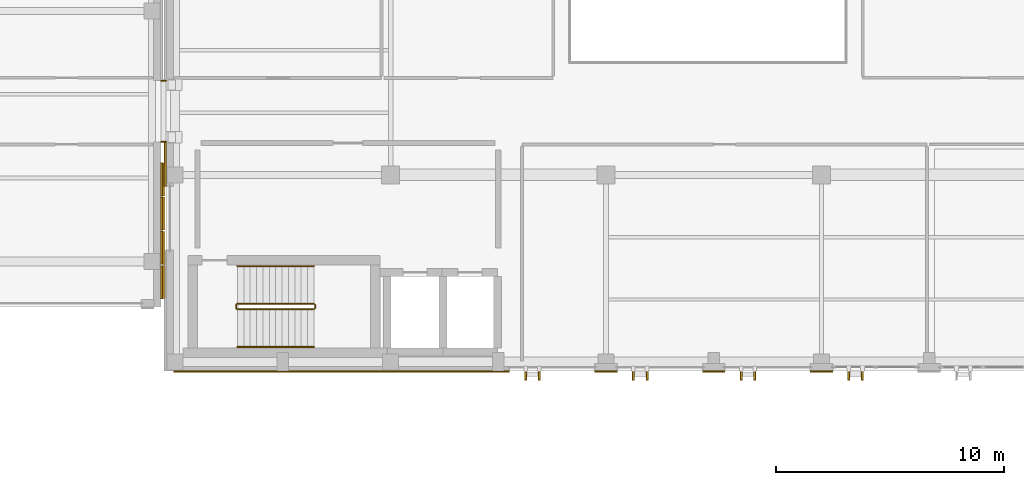
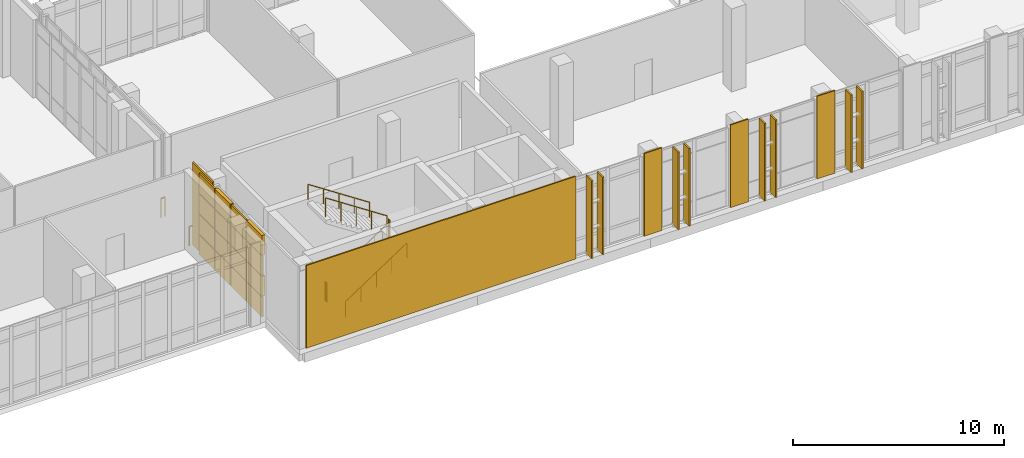
# One storey, part 170 of 189: 21 coverings, 8 railings, 8 shading devices.
"""IFC4 building model written with IfcOpenShell, lengths in metres."""

from ifc_helpers import new_model, si_unit, direction, frame, origin, origin_2d, place, context, subcontext, project, spatial, rectangle, circle, extrude, material, layer, layer_set, type_object, element, save


model = new_model("IFC4")

# Units and contexts
model_context = context("Model", 3, precision=1e-05, world=origin(), true_north=direction((0.0, 1.0)))
body_context = subcontext(model_context, "Body", "Model", "MODEL_VIEW")
ifc_project = project(units=[si_unit("LENGTHUNIT", "METRE"), si_unit("AREAUNIT", "SQUARE_METRE"), si_unit("VOLUMEUNIT", "CUBIC_METRE"), si_unit("PLANEANGLEUNIT", "RADIAN"), si_unit("MASSUNIT", "GRAM", prefix="KILO")], contexts=[model_context])

# Site, building, storey
site_placement = place(None, origin())
site = spatial("IfcSite", under=ifc_project, at=site_placement, CompositionType="ELEMENT")
building_placement = place(site_placement, origin())
building = spatial("IfcBuilding", under=site, at=building_placement, Name="Qalavern Law Courts", CompositionType="ELEMENT")
storey_placement = place(building_placement, frame((0.0, 0.0, 5.39990234375)))
storey = spatial("IfcBuildingStorey", under=building, at=storey_placement, Name="L01", CompositionType="ELEMENT", Elevation=5.39990234375)

# Railings
ifc_material_1 = material(Name="Steel S355", Category="steel")
railing_type_1 = type_object("IfcRailingType", Name="ENV-BAL-1120", PredefinedType="BALUSTRADE", material=ifc_material_1)
for number, where, name in (
    (1, (34.0, 15.260009765625, 0.0), "Bridge BR-V1-V2 joint guard L01-1"),
    (2, (34.0, 17.93994140625, 0.0), "Bridge BR-V1-V2 joint guard L01-2"),
):
    element("IfcRailing", number, at=place(storey_placement, frame(where)), inside=storey, type_object=railing_type_1, Name=name, PredefinedType="BALUSTRADE", context=body_context, shape_type="SweptSolid", body=[
        extrude(circle(Radius=0.02392578125, at=origin_2d()), frame((0.0, 0.0, 1.09619140625), z_axis=(1.0, 0.0, 0.0), x_axis=(0.0, 1.0, 0.0)), (0.0, 0.0, 1.0), 0.219970703125),
        extrude(circle(Radius=0.02099609375, at=origin_2d()), origin(), (0.0, 0.0, 1.0), 1.072021484375),
        extrude(circle(Radius=0.02099609375, at=origin_2d()), frame((0.219970703125, 0.0, 0.0)), (0.0, 0.0, 1.0), 1.072021484375),
    ])

# Coverings
ifc_material_2 = material(Name="Precast concrete C40/50", Category="concrete")
ifc_layer_1 = layer(ifc_material_2, 0.06005859375)
ifc_layer_set_1 = layer_set([ifc_layer_1], Name="Precast concrete C40/50")
covering_type_1 = type_object("IfcCoveringType", Name="ENV-CLD-1", PredefinedType="CLADDING", material=ifc_layer_set_1)
covering_1_placement = place(storey_placement, frame((34.0380859375, 9.10009765625, 0.050048828125), z_axis=(0.0, 0.0, 1.0), x_axis=(0.0, 1.0, 0.0)))
element("IfcCovering", 3, at=covering_1_placement, inside=storey, type_object=covering_type_1, Name="Cast drop-relief street-base tile 0137", PredefinedType="CLADDING", context=body_context, shape_type="SweptSolid", body=[
    extrude(rectangle(XDim=1.449951171875, YDim=0.083984375, at=origin_2d()), origin(), (0.0, 0.0, 1.0), 1.14501953125),
])
for number, where, z_axis, x_axis, name in (
    (4, (34.080078125, 9.10009765625, 3.60498046875), (0.0, 0.0, 1.0), (0.0, 1.0, 0.0), "Cast drop-relief street-base tile 0140"),
    (5, (34.080078125, 10.60009765625, 2.420166015625), (0.0, 0.0, 1.0), (0.0, 1.0, 0.0), "Cast drop-relief street-base tile 0143"),
    (6, (34.080078125, 12.10009765625, 1.235107421875), (0.0, 0.0, 1.0), (0.0, 1.0, 0.0), "Cast drop-relief street-base tile 0146"),
    (7, (34.080078125, 13.60009765625, 0.050048828125), (0.0, 0.0, 1.0), (0.0, 1.0, 0.0), "Cast drop-relief street-base tile 0149"),
):
    element("IfcCovering", number, at=place(storey_placement, frame(where, z_axis=z_axis, x_axis=x_axis)), inside=storey, type_object=covering_type_1, Name=name, PredefinedType="CLADDING", context=body_context, shape_type="SweptSolid", body=[
        extrude(rectangle(XDim=1.449951171875, YDim=0.16796875, at=origin_2d()), origin(), (0.0, 0.0, 1.0), 1.14501953125),
    ])
covering_2_placement = place(storey_placement, frame((34.0380859375, 13.60009765625, 3.60498046875), z_axis=(0.0, 0.0, 1.0), x_axis=(0.0, 1.0, 0.0)))
element("IfcCovering", 8, at=covering_2_placement, inside=storey, type_object=covering_type_1, Name="Cast drop-relief street-base tile 0152", PredefinedType="CLADDING", context=body_context, shape_type="SweptSolid", body=[
    extrude(rectangle(XDim=1.449951171875, YDim=0.083984375, at=origin_2d()), origin(), (0.0, 0.0, 1.0), 1.14501953125),
])
ifc_layer_2 = layer(ifc_material_2, 0.072021484375)
ifc_layer_set_2 = layer_set([ifc_layer_2], Name="Precast concrete C40/50")
covering_type_2 = type_object("IfcCoveringType", Name="ENV-CLD-2", PredefinedType="CLADDING", material=ifc_layer_set_2)
for number, where, z_axis, x_axis, name in (
    (9, (34.080078125, 9.10009765625, 1.235107421875), (0.0, 0.0, 1.0), (0.0, 1.0, 0.0), "Cast drop-relief street-base tile 0138"),
    (10, (34.080078125, 10.60009765625, 0.050048828125), (0.0, 0.0, 1.0), (0.0, 1.0, 0.0), "Cast drop-relief street-base tile 0141"),
):
    element("IfcCovering", number, at=place(storey_placement, frame(where, z_axis=z_axis, x_axis=x_axis)), inside=storey, type_object=covering_type_2, Name=name, PredefinedType="CLADDING", context=body_context, shape_type="SweptSolid", body=[
        extrude(rectangle(XDim=1.449951171875, YDim=0.16796875, at=origin_2d()), origin(), (0.0, 0.0, 1.0), 1.14501953125),
    ])
for number, where, z_axis, x_axis, name in (
    (11, (34.0380859375, 10.60009765625, 3.60498046875), (0.0, 0.0, 1.0), (0.0, 1.0, 0.0), "Cast drop-relief street-base tile 0144"),
    (12, (34.0380859375, 12.10009765625, 2.420166015625), (0.0, 0.0, 1.0), (0.0, 1.0, 0.0), "Cast drop-relief street-base tile 0147"),
    (13, (34.0380859375, 13.60009765625, 1.235107421875), (0.0, 0.0, 1.0), (0.0, 1.0, 0.0), "Cast drop-relief street-base tile 0150"),
):
    element("IfcCovering", number, at=place(storey_placement, frame(where, z_axis=z_axis, x_axis=x_axis)), inside=storey, type_object=covering_type_2, Name=name, PredefinedType="CLADDING", context=body_context, shape_type="SweptSolid", body=[
        extrude(rectangle(XDim=1.449951171875, YDim=0.083984375, at=origin_2d()), origin(), (0.0, 0.0, 1.0), 1.14501953125),
    ])
covering_3_placement = place(storey_placement, frame((41.92041015625, 5.1669921875, 0.01025390625), z_axis=(0.0, 0.0, 1.0), x_axis=(1.0, 0.0, 0.0)))
element("IfcCovering", 14, at=covering_3_placement, inside=storey, type_object=covering_type_2, Name="V2 Absheron limestone pier facing L01 south 1", PredefinedType="CLADDING", context=body_context, shape_type="SweptSolid", body=[
    extrude(rectangle(XDim=14.740966796875, YDim=0.072021484375, at=origin_2d()), origin(), (0.0, 0.0, 1.0), 4.780029296875),
])
for number, where, z_axis, x_axis, name in (
    (15, (53.528564453125, 5.1669921875, 0.01025390625), (0.0, 0.0, 1.0), (1.0, 0.0, 0.0), "V2 Absheron limestone pier facing L01 south 2"),
    (16, (58.256103515625, 5.1669921875, 0.01025390625), (0.0, 0.0, 1.0), (1.0, 0.0, 0.0), "V2 Absheron limestone pier facing L01 south 3"),
    (17, (62.98291015625, 5.1669921875, 0.01025390625), (0.0, 0.0, 1.0), (1.0, 0.0, 0.0), "V2 Absheron limestone pier facing L01 south 4"),
):
    element("IfcCovering", number, at=place(storey_placement, frame(where, z_axis=z_axis, x_axis=x_axis)), inside=storey, type_object=covering_type_2, Name=name, PredefinedType="CLADDING", context=body_context, shape_type="SweptSolid", body=[
        extrude(rectangle(XDim=0.97998046875, YDim=0.072021484375, at=origin_2d()), origin(), (0.0, 0.0, 1.0), 4.780029296875),
    ])
covering_4_placement = place(storey_placement, frame((34.18701171875, 14.27490234375, 0.01025390625), z_axis=(0.0, 0.0, 1.0), x_axis=(0.0, -1.0, 0.0)))
element("IfcCovering", 18, at=covering_4_placement, inside=storey, type_object=covering_type_2, Name="V2 Absheron limestone pier facing L01 west 1", PredefinedType="CLADDING", context=body_context, shape_type="SweptSolid", body=[
    extrude(rectangle(XDim=1.929931640625, YDim=0.072021484375, at=origin_2d()), origin(), (0.0, 0.0, 1.0), 4.780029296875),
])
ifc_layer_3 = layer(ifc_material_2, 0.083984375)
ifc_layer_set_3 = layer_set([ifc_layer_3], Name="Precast concrete C40/50")
covering_type_3 = type_object("IfcCoveringType", Name="ENV-CLD-3", PredefinedType="CLADDING", material=ifc_layer_set_3)
for number, where, z_axis, x_axis, name in (
    (19, (34.0380859375, 9.10009765625, 2.420166015625), (0.0, 0.0, 1.0), (0.0, 1.0, 0.0), "Cast drop-relief street-base tile 0139"),
    (20, (34.0380859375, 10.60009765625, 1.235107421875), (0.0, 0.0, 1.0), (0.0, 1.0, 0.0), "Cast drop-relief street-base tile 0142"),
    (21, (34.0380859375, 12.10009765625, 0.050048828125), (0.0, 0.0, 1.0), (0.0, 1.0, 0.0), "Cast drop-relief street-base tile 0145"),
):
    element("IfcCovering", number, at=place(storey_placement, frame(where, z_axis=z_axis, x_axis=x_axis)), inside=storey, type_object=covering_type_3, Name=name, PredefinedType="CLADDING", context=body_context, shape_type="SweptSolid", body=[
        extrude(rectangle(XDim=1.449951171875, YDim=0.083984375, at=origin_2d()), origin(), (0.0, 0.0, 1.0), 1.14501953125),
    ])
for number, where, z_axis, x_axis, name in (
    (22, (34.080078125, 12.10009765625, 3.60498046875), (0.0, 0.0, 1.0), (0.0, 1.0, 0.0), "Cast drop-relief street-base tile 0148"),
    (23, (34.080078125, 13.60009765625, 2.420166015625), (0.0, 0.0, 1.0), (0.0, 1.0, 0.0), "Cast drop-relief street-base tile 0151"),
):
    element("IfcCovering", number, at=place(storey_placement, frame(where, z_axis=z_axis, x_axis=x_axis)), inside=storey, type_object=covering_type_3, Name=name, PredefinedType="CLADDING", context=body_context, shape_type="SweptSolid", body=[
        extrude(rectangle(XDim=1.449951171875, YDim=0.16796875, at=origin_2d()), origin(), (0.0, 0.0, 1.0), 1.14501953125),
    ])

# Shading devices
shading_device_type = type_object("IfcShadingDeviceType", Name="ENV-FIN-1", PredefinedType="USERDEFINED", material=ifc_material_2)
for number, where, z_axis, x_axis, name in (
    (24, (50.0009765625, 5.052490234375, 0.01025390625), (0.0, 0.0, 1.0), (0.0, -1.0, 0.0), "Hall solar shading fin 0001"),
    (25, (50.60107421875, 5.052490234375, 0.01025390625), (0.0, 0.0, 1.0), (0.0, -1.0, 0.0), "Hall solar shading fin 0002"),
    (26, (54.728515625, 5.052490234375, 0.01025390625), (0.0, 0.0, 1.0), (0.0, -1.0, 0.0), "Hall solar shading fin 0003"),
    (27, (55.32861328125, 5.052490234375, 0.01025390625), (0.0, 0.0, 1.0), (0.0, -1.0, 0.0), "Hall solar shading fin 0004"),
    (28, (59.4560546875, 5.052490234375, 0.01025390625), (0.0, 0.0, 1.0), (0.0, -1.0, 0.0), "Hall solar shading fin 0005"),
    (29, (60.055908203125, 5.052490234375, 0.01025390625), (0.0, 0.0, 1.0), (0.0, -1.0, 0.0), "Hall solar shading fin 0006"),
    (30, (64.182861328125, 5.052490234375, 0.01025390625), (0.0, 0.0, 1.0), (0.0, -1.0, 0.0), "Hall solar shading fin 0007"),
    (31, (64.782958984375, 5.052490234375, 0.01025390625), (0.0, 0.0, 1.0), (0.0, -1.0, 0.0), "Hall solar shading fin 0008"),
):
    element("IfcShadingDevice", number, at=place(storey_placement, frame(where, z_axis=z_axis, x_axis=x_axis)), inside=storey, type_object=shading_device_type, Name=name, ObjectType="FIN", PredefinedType="USERDEFINED", context=body_context, shape_type="SweptSolid", body=[
        extrude(rectangle(XDim=0.5400390625, YDim=0.0849609375, at=origin_2d()), origin(), (0.0, 0.0, 1.0), 4.489990234375),
    ])

# Railings
railing_type_2 = type_object("IfcRailingType", Name="INT-GUARD-1120", PredefinedType="BALUSTRADE", material=ifc_material_1)
railing_1_placement = place(storey_placement, frame((37.35009765625, 7.89990234375, 0.184814453125)))
element("IfcRailing", 32, at=railing_1_placement, inside=storey, type_object=railing_type_2, Name="L01 ST-K4 stair guard 1", PredefinedType="BALUSTRADE", context=body_context, shape_type="SweptSolid", body=[
    extrude(circle(Radius=0.02392578125, at=origin_2d()), frame((0.0, 0.0, 1.09619140625), z_axis=(0.834858096282, 0.0, 0.550465220583), x_axis=(0.0, 1.0, 0.0)), (0.0, 0.0, 1.0), 4.0244140625),
    extrude(circle(Radius=0.02099609375, at=origin_2d()), origin(), (0.0, 0.0, 1.0), 1.072021484375),
    extrude(circle(Radius=0.02099609375, at=origin_2d()), frame((0.83984375, 0.0, 0.5537109375)), (0.0, 0.0, 1.0), 1.072021484375),
    extrude(circle(Radius=0.02099609375, at=origin_2d()), frame((1.679931640625, 0.0, 1.107666015625)), (0.0, 0.0, 1.0), 1.072021484375),
    extrude(circle(Radius=0.02099609375, at=origin_2d()), frame((2.52001953125, 0.0, 1.66162109375)), (0.0, 0.0, 1.0), 1.072021484375),
    extrude(circle(Radius=0.02099609375, at=origin_2d()), frame((3.35986328125, 0.0, 2.21533203125)), (0.0, 0.0, 1.0), 1.072021484375),
])
railing_2_placement = place(storey_placement, frame((40.760009765625, 7.949951171875, 2.400146484375)))
element("IfcRailing", 33, at=railing_2_placement, inside=storey, type_object=railing_type_2, Name="L01 ST-K4 stair guard 2", PredefinedType="BALUSTRADE", context=body_context, shape_type="SweptSolid", body=[
    extrude(circle(Radius=0.02392578125, at=origin_2d()), frame((0.0, 0.0, 1.09619140625), z_axis=(0.0, 1.0, 0.0), x_axis=(-1.0, 0.0, 0.0)), (0.0, 0.0, 1.0), 0.150146484375),
    extrude(circle(Radius=0.02099609375, at=origin_2d()), origin(), (0.0, 0.0, 1.0), 1.072021484375),
    extrude(circle(Radius=0.02099609375, at=origin_2d()), frame((0.0, 0.150146484375, 0.0)), (0.0, 0.0, 1.0), 1.072021484375),
])
railing_3_placement = place(storey_placement, frame((40.7099609375, 8.14990234375, 2.584716796875)))
element("IfcRailing", 34, at=railing_3_placement, inside=storey, type_object=railing_type_2, Name="L01 ST-K4 stair guard 3", PredefinedType="BALUSTRADE", context=body_context, shape_type="SweptSolid", body=[
    extrude(circle(Radius=0.02392578125, at=origin_2d()), frame((0.0, 0.0, 1.09619140625), z_axis=(-0.834858096282, 0.0, 0.550465220583), x_axis=(0.0, -1.0, 0.0)), (0.0, 0.0, 1.0), 4.0244140625),
    extrude(circle(Radius=0.02099609375, at=origin_2d()), origin(), (0.0, 0.0, 1.0), 1.072021484375),
    extrude(circle(Radius=0.02099609375, at=origin_2d()), frame((-0.83984375, 0.0, 0.5537109375)), (0.0, 0.0, 1.0), 1.072021484375),
    extrude(circle(Radius=0.02099609375, at=origin_2d()), frame((-1.679931640625, 0.0, 1.107666015625)), (0.0, 0.0, 1.0), 1.072021484375),
    extrude(circle(Radius=0.02099609375, at=origin_2d()), frame((-2.52001953125, 0.0, 1.66162109375)), (0.0, 0.0, 1.0), 1.072021484375),
    extrude(circle(Radius=0.02099609375, at=origin_2d()), frame((-3.35986328125, 0.0, 2.21533203125)), (0.0, 0.0, 1.0), 1.072021484375),
])
railing_4_placement = place(storey_placement, frame((37.300048828125, 7.949951171875, 0.0)))
element("IfcRailing", 35, at=railing_4_placement, inside=storey, type_object=railing_type_2, Name="L01 ST-K4 stair guard 4", PredefinedType="BALUSTRADE", context=body_context, shape_type="SweptSolid", body=[
    extrude(circle(Radius=0.02392578125, at=origin_2d()), frame((0.0, 0.0, 1.09619140625), z_axis=(0.0, 1.0, 0.0), x_axis=(-1.0, 0.0, 0.0)), (0.0, 0.0, 1.0), 0.150146484375),
    extrude(circle(Radius=0.02099609375, at=origin_2d()), origin(), (0.0, 0.0, 1.0), 1.072021484375),
    extrude(circle(Radius=0.02099609375, at=origin_2d()), frame((0.0, 0.150146484375, 0.0)), (0.0, 0.0, 1.0), 1.072021484375),
])
railing_type_3 = type_object("IfcRailingType", Name="INT-HRAIL-920", PredefinedType="HANDRAIL", material=ifc_material_1)
railing_5_placement = place(storey_placement, frame((37.35009765625, 6.25, 0.184814453125)))
element("IfcRailing", 36, at=railing_5_placement, inside=storey, type_object=railing_type_3, Name="L01 ST-K4 stair handrail 1", PredefinedType="HANDRAIL", context=body_context, shape_type="SweptSolid", body=[
    extrude(circle(Radius=0.02392578125, at=origin_2d()), frame((0.0, 0.0, 0.8759765625), z_axis=(0.834858096282, 0.0, 0.550465220583), x_axis=(0.0, 1.0, 0.0)), (0.0, 0.0, 1.0), 4.0244140625),
    extrude(circle(Radius=0.02099609375, at=origin_2d()), origin(), (0.0, 0.0, 1.0), 0.851806640625),
    extrude(circle(Radius=0.02099609375, at=origin_2d()), frame((0.83984375, 0.0, 0.5537109375)), (0.0, 0.0, 1.0), 0.851806640625),
    extrude(circle(Radius=0.02099609375, at=origin_2d()), frame((1.679931640625, 0.0, 1.107666015625)), (0.0, 0.0, 1.0), 0.851806640625),
    extrude(circle(Radius=0.02099609375, at=origin_2d()), frame((2.52001953125, 0.0, 1.66162109375)), (0.0, 0.0, 1.0), 0.851806640625),
    extrude(circle(Radius=0.02099609375, at=origin_2d()), frame((3.35986328125, 0.0, 2.21533203125)), (0.0, 0.0, 1.0), 0.851806640625),
])
railing_6_placement = place(storey_placement, frame((40.7099609375, 9.800048828125, 2.584716796875)))
element("IfcRailing", 37, at=railing_6_placement, inside=storey, type_object=railing_type_3, Name="L01 ST-K4 stair handrail 2", PredefinedType="HANDRAIL", context=body_context, shape_type="SweptSolid", body=[
    extrude(circle(Radius=0.02392578125, at=origin_2d()), frame((0.0, 0.0, 0.8759765625), z_axis=(-0.834858096282, 0.0, 0.550465220583), x_axis=(0.0, -1.0, 0.0)), (0.0, 0.0, 1.0), 4.0244140625),
    extrude(circle(Radius=0.02099609375, at=origin_2d()), origin(), (0.0, 0.0, 1.0), 0.851806640625),
    extrude(circle(Radius=0.02099609375, at=origin_2d()), frame((-0.83984375, 0.0, 0.5537109375)), (0.0, 0.0, 1.0), 0.851806640625),
    extrude(circle(Radius=0.02099609375, at=origin_2d()), frame((-1.679931640625, 0.0, 1.107666015625)), (0.0, 0.0, 1.0), 0.851806640625),
    extrude(circle(Radius=0.02099609375, at=origin_2d()), frame((-2.52001953125, 0.0, 1.66162109375)), (0.0, 0.0, 1.0), 0.851806640625),
    extrude(circle(Radius=0.02099609375, at=origin_2d()), frame((-3.35986328125, 0.0, 2.21533203125)), (0.0, 0.0, 1.0), 0.851806640625),
])

save(model, "model.ifc")
